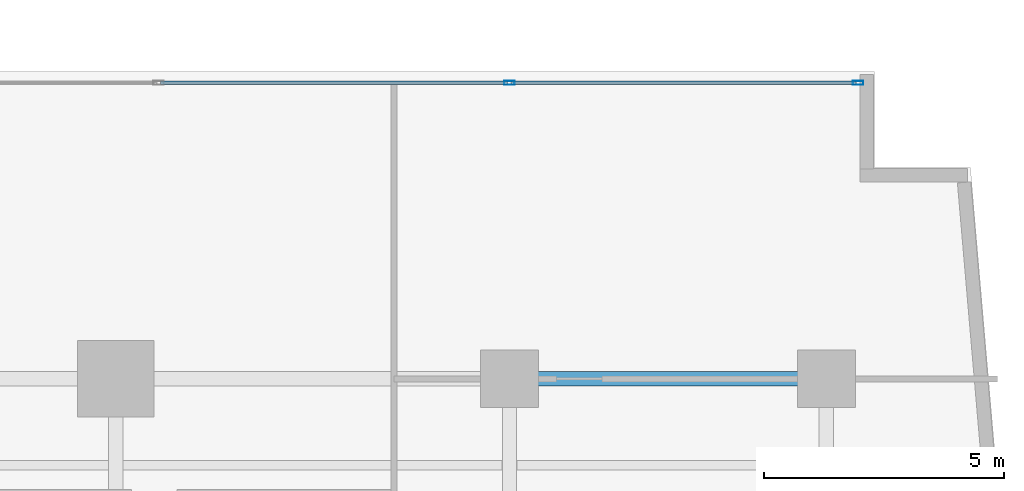
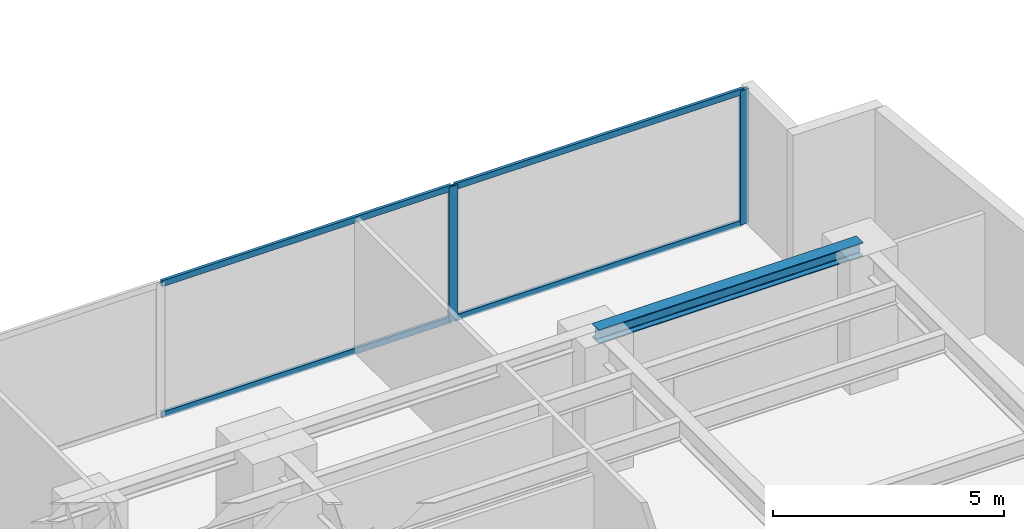
# One storey, part 14 of 28: 6 members, 1 beam, 1 element without a shape of its own.
"""IFC4 building model written with IfcOpenShell, lengths in metres."""

from ifc_helpers import new_model, si_unit, direction, frame, origin, origin_with_axes, origin_2d, place, context, subcontext, project, spatial, hollow_rectangle, i_section, extrude, source, transform, mapped, material, layer, layer_set, material_profile, profile_set, type_object, element, aggregate, save


model = new_model("IFC4")

# Units and contexts
model_context = context("Model", 3, precision=1e-05, world=origin(), true_north=direction((0.0, 1.0)))
body_context = subcontext(model_context, "Body", "Model", "MODEL_VIEW")
ifc_project = project(units=[si_unit("LENGTHUNIT", "METRE"), si_unit("AREAUNIT", "SQUARE_METRE"), si_unit("VOLUMEUNIT", "CUBIC_METRE"), si_unit("PLANEANGLEUNIT", "RADIAN"), si_unit("MASSUNIT", "GRAM", prefix="KILO")], contexts=[model_context])

# Site, building, storey
site_placement = place(None, origin())
site = spatial("IfcSite", under=ifc_project, at=site_placement, CompositionType="ELEMENT")
building_placement = place(site_placement, origin())
building = spatial("IfcBuilding", under=site, at=building_placement, Name="Kolvaren Waterfront Exchange", CompositionType="ELEMENT")
storey_placement = place(building_placement, frame((0.0, 0.0, 75.199951171875)))
storey = spatial("IfcBuildingStorey", under=building, at=storey_placement, Name="L19", CompositionType="ELEMENT", Elevation=75.199951171875)

# Beam
ifc_material_1 = material(Name="Steel S355", Category="steel")
ifc_material_profile_1 = material_profile(ifc_material_1, i_section(OverallWidth=0.300048828125, OverallDepth=0.360107421875, WebThickness=0.012451171875, FlangeThickness=0.0224609375, FilletRadius=0.027099609375, at=origin_2d()), Name="HEB360")
ifc_profile_set_1 = profile_set([ifc_material_profile_1], Name="Steel S355")
beam_type = type_object("IfcBeamType", Name="STR-BM-HEB360", PredefinedType="SPANDREL", material=ifc_profile_set_1)
beam_placement = place(storey_placement, frame((53.800048828125, 17.39990234375, 3.360107421875), z_axis=(1.0, 0.0, 0.0), x_axis=(0.0, 1.0, 0.0)))
element("IfcBeam", 1, at=beam_placement, inside=storey, type_object=beam_type, Name="L19 east-arm spandrel N5", PredefinedType="SPANDREL", context=body_context, shape_type="SweptSolid", body=[
    extrude(i_section(OverallWidth=0.300048828125, OverallDepth=0.360107421875, WebThickness=0.012451171875, FlangeThickness=0.0224609375, FilletRadius=0.027099609375, at=origin_2d()), origin(), (0.0, 0.0, 1.0), 6.599853515625),
])

# Curtain wall, members
ifc_material_2 = material(Name="Anodised bronze aluminium 6063-T6", Category="aluminium")
ifc_layer = layer(ifc_material_2, 0.219970703125, Name="Anodised bronze aluminium 6063-T6")
ifc_layer_set = layer_set([ifc_layer], Name="Anodised bronze aluminium 6063-T6")
curtain_wall_type = type_object("IfcCurtainWallType", Name="ARC-CW-SYS1", PredefinedType="USERDEFINED", material=ifc_layer_set)
curtain_wall_placement = place(storey_placement, origin())
curtain_wall = element("IfcCurtainWall", 2, at=curtain_wall_placement, inside=storey, type_object=curtain_wall_type, Name="L19 stick curtain wall CW1 (CW-L19-EN)", ObjectType="STICK CURTAIN WALL", PredefinedType="USERDEFINED")
ifc_material_3 = material(Name="Anodised aluminium 6063-T6", Category="aluminium")
ifc_material_profile_2 = material_profile(ifc_material_3, hollow_rectangle(XDim=0.074951171875, YDim=0.159912109375, WallThickness=0.00439453125, at=origin_2d()), Name="ALU-TRN-160x75x4.5")
ifc_profile_set_2 = profile_set([ifc_material_profile_2], Name="Anodised aluminium 6063-T6")
member_type_1 = type_object("IfcMemberType", Name="ARC-CWT-160", PredefinedType="USERDEFINED", material=ifc_profile_set_2)
shared_shape_1 = source(origin_with_axes(), body_context, "Body", "SweptSolid", [
    extrude(hollow_rectangle(XDim=0.074951171875, YDim=0.159912109375, WallThickness=0.00439453125, at=origin_2d()), origin(), (0.0, 0.0, 1.0), 7.1826171875),
])
member_1_placement = place(storey_placement, frame((53.83740234375, 23.56005859375, 0.03759765625), z_axis=(1.0, 0.0, 0.0), x_axis=(0.0, 1.0, 0.0)))
member_1 = element("IfcMember", 3, at=member_1_placement, type_object=member_type_1, Name="CW1 transom 4.1", ObjectType="TRANSOM", PredefinedType="USERDEFINED", context=body_context, shape_type="MappedRepresentation", body=[
    mapped(shared_shape_1, transform((0.0, 0.0, 0.0), x_axis=(1.0, 0.0, 0.0), y_axis=(0.0, 1.0, 0.0), z_axis=(0.0, 0.0, 1.0), scale=1.0)),
])
member_2_placement = place(storey_placement, frame((53.83740234375, 23.56005859375, 3.50244140625), z_axis=(1.0, 0.0, 0.0), x_axis=(0.0, 1.0, 0.0)))
member_2 = element("IfcMember", 4, at=member_2_placement, type_object=member_type_1, Name="CW1 transom 4.2", ObjectType="TRANSOM", PredefinedType="USERDEFINED", context=body_context, shape_type="MappedRepresentation", body=[
    mapped(shared_shape_1, transform((0.0, 0.0, 0.0), x_axis=(1.0, 0.0, 0.0), y_axis=(0.0, 1.0, 0.0), z_axis=(0.0, 0.0, 1.0), scale=1.0)),
])
shared_shape_2 = source(origin_with_axes(), body_context, "Body", "SweptSolid", [
    extrude(hollow_rectangle(XDim=0.074951171875, YDim=0.159912109375, WallThickness=0.00439453125, at=origin_2d()), origin(), (0.0, 0.0, 1.0), 7.22265625),
])
member_3_placement = place(storey_placement, frame((46.534912109375, 23.56005859375, 0.03759765625), z_axis=(1.0, 0.0, 0.0), x_axis=(0.0, 1.0, 0.0)))
member_3 = element("IfcMember", 5, at=member_3_placement, type_object=member_type_1, Name="CW1 transom 3.1", ObjectType="TRANSOM", PredefinedType="USERDEFINED", context=body_context, shape_type="MappedRepresentation", body=[
    mapped(shared_shape_2, transform((0.0, 0.0, 0.0), x_axis=(1.0, 0.0, 0.0), y_axis=(0.0, 1.0, 0.0), z_axis=(0.0, 0.0, 1.0), scale=1.0)),
])
member_4_placement = place(storey_placement, frame((46.534912109375, 23.56005859375, 3.50244140625), z_axis=(1.0, 0.0, 0.0), x_axis=(0.0, 1.0, 0.0)))
member_4 = element("IfcMember", 6, at=member_4_placement, type_object=member_type_1, Name="CW1 transom 3.2", ObjectType="TRANSOM", PredefinedType="USERDEFINED", context=body_context, shape_type="MappedRepresentation", body=[
    mapped(shared_shape_2, transform((0.0, 0.0, 0.0), x_axis=(1.0, 0.0, 0.0), y_axis=(0.0, 1.0, 0.0), z_axis=(0.0, 0.0, 1.0), scale=1.0)),
])
ifc_material_profile_3 = material_profile(ifc_material_3, hollow_rectangle(XDim=0.080078125, YDim=0.219970703125, WallThickness=0.0048828125, at=origin_2d()), Name="ALU-MUL-220x80x5")
ifc_profile_set_3 = profile_set([ifc_material_profile_3], Name="Anodised aluminium 6063-T6")
member_type_2 = type_object("IfcMemberType", Name="ARC-CWM-220", PredefinedType="MULLION", material=ifc_profile_set_3)
shared_shape_3 = source(origin_with_axes(), body_context, "Body", "SweptSolid", [
    extrude(hollow_rectangle(XDim=0.080078125, YDim=0.219970703125, WallThickness=0.0048828125, at=origin_2d()), origin(), (0.0, 0.0, 1.0), 3.5400390625),
])
member_5_placement = place(storey_placement, frame((53.797607421875, 23.56005859375, 0.0), z_axis=(0.0, 0.0, 1.0), x_axis=(0.0, 1.0, 0.0)))
member_5 = element("IfcMember", 7, at=member_5_placement, type_object=member_type_2, Name="CW1 mullion 4", PredefinedType="MULLION", context=body_context, shape_type="MappedRepresentation", body=[
    mapped(shared_shape_3, transform((0.0, 0.0, 0.0), x_axis=(1.0, 0.0, 0.0), y_axis=(0.0, 1.0, 0.0), z_axis=(0.0, 0.0, 1.0), scale=1.0)),
])
member_6_placement = place(storey_placement, frame((61.06005859375, 23.56005859375, 0.0), z_axis=(0.0, 0.0, 1.0), x_axis=(0.0, 1.0, 0.0)))
member_6 = element("IfcMember", 8, at=member_6_placement, type_object=member_type_2, Name="CW1 mullion 5", PredefinedType="MULLION", context=body_context, shape_type="MappedRepresentation", body=[
    mapped(shared_shape_3, transform((0.0, 0.0, 0.0), x_axis=(1.0, 0.0, 0.0), y_axis=(0.0, 1.0, 0.0), z_axis=(0.0, 0.0, 1.0), scale=1.0)),
])
aggregate(curtain_wall, [member_5, member_6, member_3, member_4, member_1, member_2])

save(model, "model.ifc")
